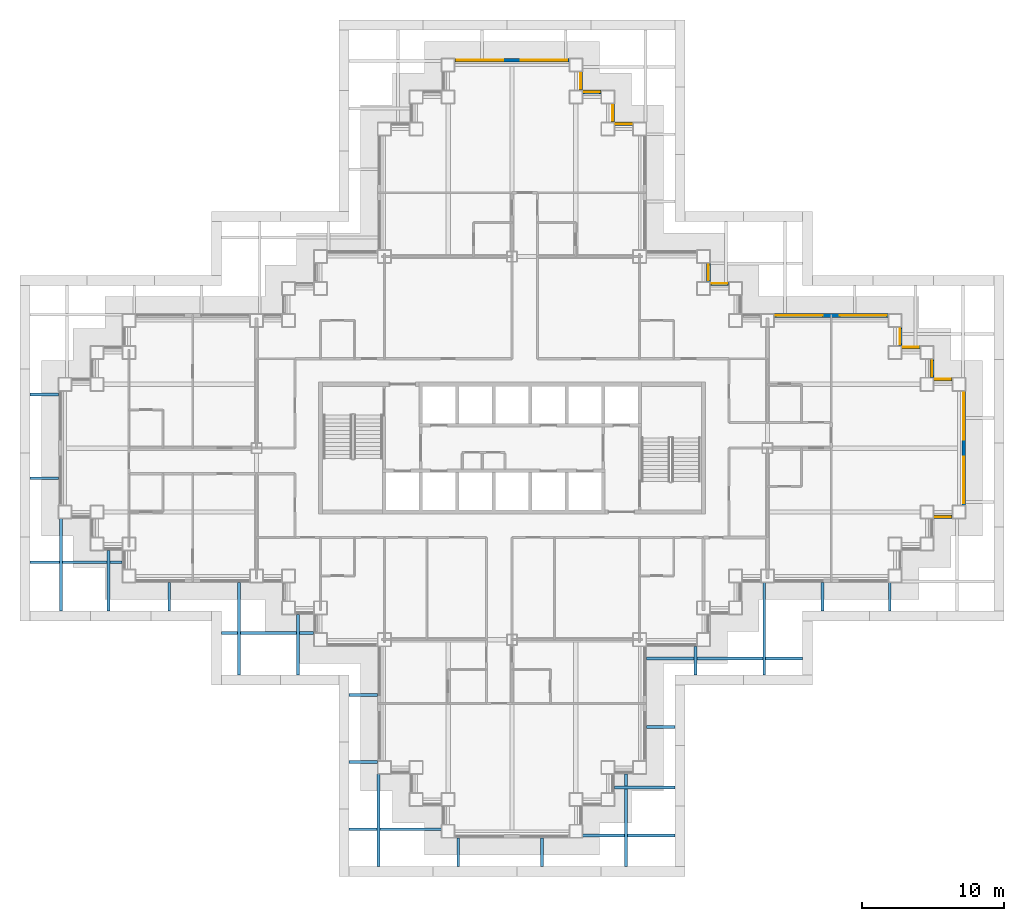
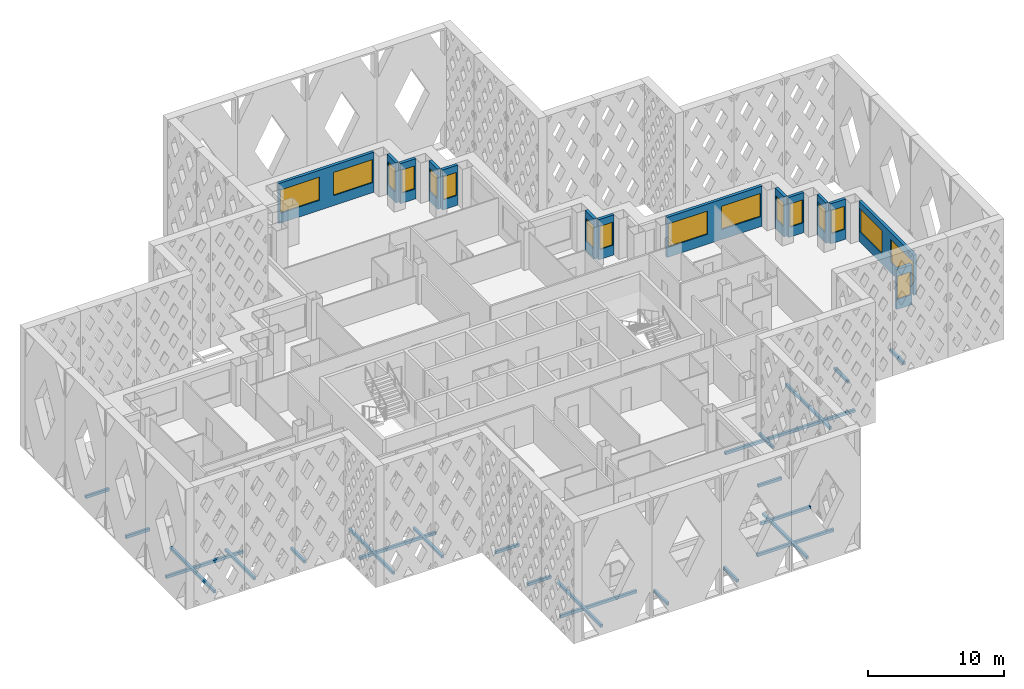
# One storey, part 9 of 19: 24 discrete accessories, 17 windows, 14 walls, 17 openings.
"""IFC4 building model written with IfcOpenShell, lengths in metres."""

from ifc_helpers import new_model, si_unit, direction, frame, frame_2d, origin, origin_2d, place, context, subcontext, project, spatial, rectangle, extrude, material, layer, layer_set, type_object, element, fill, save


model = new_model("IFC4")

# Units and contexts
model_context = context("Model", 3, precision=1e-05, world=origin(), true_north=direction((0.0, 1.0)))
body_context = subcontext(model_context, "Body", "Model", "MODEL_VIEW")
ifc_project = project(units=[si_unit("LENGTHUNIT", "METRE"), si_unit("AREAUNIT", "SQUARE_METRE"), si_unit("VOLUMEUNIT", "CUBIC_METRE"), si_unit("PLANEANGLEUNIT", "RADIAN"), si_unit("MASSUNIT", "GRAM", prefix="KILO")], contexts=[model_context])

# Site, building, storey
site_placement = place(None, origin())
site = spatial("IfcSite", under=ifc_project, at=site_placement, CompositionType="ELEMENT")
building_placement = place(site_placement, origin())
building = spatial("IfcBuilding", under=site, at=building_placement, Name="Caravel Reach Hotel and Residences", CompositionType="ELEMENT")
storey_placement = place(building_placement, frame((0.0, 0.0, 85.199951171875)))
storey = spatial("IfcBuildingStorey", under=building, at=storey_placement, Name="L20", CompositionType="ELEMENT", Elevation=85.199951171875)

# Wall, opening, window
ifc_material_1 = material(Name="Insulated rainscreen wall, aluminium cladding", Category="aluminium")
ifc_layer = layer(ifc_material_1, 0.25)
ifc_layer_set = layer_set([ifc_layer], Name="EW1 Tower rainscreen wall")
wall_type = type_object("IfcWallType", Name="EW1 Tower rainscreen wall", PredefinedType="SOLIDWALL", material=ifc_layer_set)
wall_1_placement = place(storey_placement, frame((61.22509765625, 22.14990234375, 0.0), z_axis=(0.0, 0.0, 1.0), x_axis=(1.0, 0.0, 0.0)))
wall_1 = element("IfcWall", 1, at=wall_1_placement, inside=storey, type_object=wall_type, Name="External wall L20 S19.1", PredefinedType="SOLIDWALL", context=body_context, shape_type="SweptSolid", body=[
    extrude(rectangle(XDim=1.2998046875, YDim=0.25, at=frame_2d((0.64990234375, 0.0))), origin(), (0.0, 0.0, 1.0), 3.60009765625),
])
opening_1_placement = place(wall_1_placement, frame((0.10009765625, 0.0, 0.89990234375)))
opening_1 = element("IfcOpeningElement", 2, at=opening_1_placement, cuts=wall_1, Name="Opening WN5", PredefinedType="OPENING", context=body_context, shape_type="SweptSolid", body=[
    extrude(rectangle(XDim=1.10009765625, YDim=2.080078125, at=frame_2d((0.550048828125, 1.0400390625))), frame((0.0, 0.135009765625, 0.0), z_axis=(0.0, -1.0, 0.0), x_axis=(1.0, 0.0, 0.0)), (0.0, 0.0, 1.0), 0.27001953125),
])
ifc_material_2 = material(Name="Dark low-e glazing in black aluminium frame", Category="aluminium")
window_type_1 = type_object("IfcWindowType", Name="Hotel suite corner window 1100 x 2080", PartitioningType="SINGLE_PANEL", PredefinedType="WINDOW", material=ifc_material_2)
window_1_placement = place(opening_1_placement, origin())
window_1 = element("IfcWindow", 3, at=window_1_placement, inside=storey, type_object=window_type_1, Name="Window L20 S19.1.1", OverallHeight=2.080078125, OverallWidth=1.10009765625, PartitioningType="SINGLE_PANEL", PredefinedType="WINDOW", context=body_context, shape_type="SweptSolid", body=[
    extrude(rectangle(XDim=1.10009765625, YDim=2.080078125, at=frame_2d((0.550048828125, 1.0400390625))), frame((0.0, 0.030029296875, 0.0), z_axis=(0.0, -1.0, 0.0), x_axis=(1.0, 0.0, 0.0)), (0.0, 0.0, 1.0), 0.06005859375),
])
fill(opening_1, window_1)

# Wall, openings, windows
wall_2_placement = place(storey_placement, frame((63.35009765625, 22.97509765625, 0.0), z_axis=(0.0, 0.0, 1.0), x_axis=(0.0, 1.0, 0.0)))
wall_2 = element("IfcWall", 4, at=wall_2_placement, inside=storey, type_object=wall_type, Name="External wall L20 E20.1", PredefinedType="SOLIDWALL", context=body_context, shape_type="SweptSolid", body=[
    extrude(rectangle(XDim=8.0498046875, YDim=0.25, at=frame_2d((4.02490234375, 0.0))), origin(), (0.0, 0.0, 1.0), 3.60009765625),
])
opening_2_placement = place(wall_2_placement, frame((0.125, 0.0, 0.89990234375)))
opening_2 = element("IfcOpeningElement", 5, at=opening_2_placement, cuts=wall_2, Name="Opening WN4", PredefinedType="OPENING", context=body_context, shape_type="SweptSolid", body=[
    extrude(rectangle(XDim=3.300048828125, YDim=2.080078125, at=frame_2d((1.64990234375, 1.0400390625))), frame((0.0, 0.135009765625, 0.0), z_axis=(0.0, -1.0, 0.0), x_axis=(1.0, 0.0, 0.0)), (0.0, 0.0, 1.0), 0.27001953125),
])
opening_3_placement = place(wall_2_placement, frame((4.625, 0.0, 0.89990234375)))
opening_3 = element("IfcOpeningElement", 6, at=opening_3_placement, cuts=wall_2, Name="Opening WN4", PredefinedType="OPENING", context=body_context, shape_type="SweptSolid", body=[
    extrude(rectangle(XDim=3.300048828125, YDim=2.080078125, at=frame_2d((1.64990234375, 1.0400390625))), frame((0.0, 0.135009765625, 0.0), z_axis=(0.0, -1.0, 0.0), x_axis=(1.0, 0.0, 0.0)), (0.0, 0.0, 1.0), 0.27001953125),
])
ifc_material_3 = material(Name="Dark low-e glazing in black aluminium frame", Category="aluminium")
window_type_2 = type_object("IfcWindowType", Name="Hotel guest room window 3300 x 2080", PartitioningType="SINGLE_PANEL", PredefinedType="WINDOW", material=ifc_material_3)
window_2_placement = place(opening_2_placement, origin())
window_2 = element("IfcWindow", 7, at=window_2_placement, inside=storey, type_object=window_type_2, Name="Window L20 E20.1.1", OverallHeight=2.080078125, OverallWidth=3.300048828125, PartitioningType="SINGLE_PANEL", PredefinedType="WINDOW", context=body_context, shape_type="SweptSolid", body=[
    extrude(rectangle(XDim=3.300048828125, YDim=2.080078125, at=frame_2d((1.64990234375, 1.0400390625))), frame((0.0, 0.030029296875, 0.0), z_axis=(0.0, -1.0, 0.0), x_axis=(1.0, 0.0, 0.0)), (0.0, 0.0, 1.0), 0.06005859375),
])
fill(opening_2, window_2)
window_3_placement = place(opening_3_placement, origin())
window_3 = element("IfcWindow", 8, at=window_3_placement, inside=storey, type_object=window_type_2, Name="Window L20 E20.1.2", OverallHeight=2.080078125, OverallWidth=3.300048828125, PartitioningType="SINGLE_PANEL", PredefinedType="WINDOW", context=body_context, shape_type="SweptSolid", body=[
    extrude(rectangle(XDim=3.300048828125, YDim=2.080078125, at=frame_2d((1.64990234375, 1.0400390625))), frame((0.0, 0.030029296875, 0.0), z_axis=(0.0, -1.0, 0.0), x_axis=(1.0, 0.0, 0.0)), (0.0, 0.0, 1.0), 0.06005859375),
])
fill(opening_3, window_3)

# Wall, opening, window
wall_3_placement = place(storey_placement, frame((62.52490234375, 31.85009765625, 0.0), z_axis=(0.0, 0.0, 1.0), x_axis=(-1.0, 0.0, 0.0)))
wall_3 = element("IfcWall", 9, at=wall_3_placement, inside=storey, type_object=wall_type, Name="External wall L20 N21.1", PredefinedType="SOLIDWALL", context=body_context, shape_type="SweptSolid", body=[
    extrude(rectangle(XDim=1.2998046875, YDim=0.25, at=frame_2d((0.64990234375, 0.0))), origin(), (0.0, 0.0, 1.0), 3.60009765625),
])
opening_4_placement = place(wall_3_placement, frame((0.10009765625, 0.0, 0.89990234375)))
opening_4 = element("IfcOpeningElement", 10, at=opening_4_placement, cuts=wall_3, Name="Opening WN5", PredefinedType="OPENING", context=body_context, shape_type="SweptSolid", body=[
    extrude(rectangle(XDim=1.10009765625, YDim=2.080078125, at=frame_2d((0.550048828125, 1.0400390625))), frame((0.0, 0.135009765625, 0.0), z_axis=(0.0, -1.0, 0.0), x_axis=(1.0, 0.0, 0.0)), (0.0, 0.0, 1.0), 0.27001953125),
])
window_4_placement = place(opening_4_placement, origin())
window_4 = element("IfcWindow", 11, at=window_4_placement, inside=storey, type_object=window_type_1, Name="Window L20 N21.1.1", OverallHeight=2.080078125, OverallWidth=1.10009765625, PartitioningType="SINGLE_PANEL", PredefinedType="WINDOW", context=body_context, shape_type="SweptSolid", body=[
    extrude(rectangle(XDim=1.10009765625, YDim=2.080078125, at=frame_2d((0.550048828125, 1.0400390625))), frame((0.0, 0.030029296875, 0.0), z_axis=(0.0, -1.0, 0.0), x_axis=(1.0, 0.0, 0.0)), (0.0, 0.0, 1.0), 0.06005859375),
])
fill(opening_4, window_4)

wall_4_placement = place(storey_placement, frame((61.10009765625, 31.97509765625, 0.0), z_axis=(0.0, 0.0, 1.0), x_axis=(0.0, 1.0, 0.0)))
wall_4 = element("IfcWall", 12, at=wall_4_placement, inside=storey, type_object=wall_type, Name="External wall L20 E22.1", PredefinedType="SOLIDWALL", context=body_context, shape_type="SweptSolid", body=[
    extrude(rectangle(XDim=1.2998046875, YDim=0.25, at=frame_2d((0.64990234375, 0.0))), origin(), (0.0, 0.0, 1.0), 3.60009765625),
])
opening_5_placement = place(wall_4_placement, frame((0.10009765625, 0.0, 0.89990234375)))
opening_5 = element("IfcOpeningElement", 13, at=opening_5_placement, cuts=wall_4, Name="Opening WN5", PredefinedType="OPENING", context=body_context, shape_type="SweptSolid", body=[
    extrude(rectangle(XDim=1.10009765625, YDim=2.080078125, at=frame_2d((0.550048828125, 1.0400390625))), frame((0.0, 0.135009765625, 0.0), z_axis=(0.0, -1.0, 0.0), x_axis=(1.0, 0.0, 0.0)), (0.0, 0.0, 1.0), 0.27001953125),
])
window_5_placement = place(opening_5_placement, origin())
window_5 = element("IfcWindow", 14, at=window_5_placement, inside=storey, type_object=window_type_1, Name="Window L20 E22.1.1", OverallHeight=2.080078125, OverallWidth=1.10009765625, PartitioningType="SINGLE_PANEL", PredefinedType="WINDOW", context=body_context, shape_type="SweptSolid", body=[
    extrude(rectangle(XDim=1.10009765625, YDim=2.080078125, at=frame_2d((0.550048828125, 1.0400390625))), frame((0.0, 0.030029296875, 0.0), z_axis=(0.0, -1.0, 0.0), x_axis=(1.0, 0.0, 0.0)), (0.0, 0.0, 1.0), 0.06005859375),
])
fill(opening_5, window_5)

wall_5_placement = place(storey_placement, frame((60.27490234375, 34.10009765625, 0.0), z_axis=(0.0, 0.0, 1.0), x_axis=(-1.0, 0.0, 0.0)))
wall_5 = element("IfcWall", 15, at=wall_5_placement, inside=storey, type_object=wall_type, Name="External wall L20 N23.1", PredefinedType="SOLIDWALL", context=body_context, shape_type="SweptSolid", body=[
    extrude(rectangle(XDim=1.2998046875, YDim=0.25, at=frame_2d((0.64990234375, 0.0))), origin(), (0.0, 0.0, 1.0), 3.60009765625),
])
opening_6_placement = place(wall_5_placement, frame((0.10009765625, 0.0, 0.89990234375)))
opening_6 = element("IfcOpeningElement", 16, at=opening_6_placement, cuts=wall_5, Name="Opening WN5", PredefinedType="OPENING", context=body_context, shape_type="SweptSolid", body=[
    extrude(rectangle(XDim=1.10009765625, YDim=2.080078125, at=frame_2d((0.550048828125, 1.0400390625))), frame((0.0, 0.135009765625, 0.0), z_axis=(0.0, -1.0, 0.0), x_axis=(1.0, 0.0, 0.0)), (0.0, 0.0, 1.0), 0.27001953125),
])
window_6_placement = place(opening_6_placement, origin())
window_6 = element("IfcWindow", 17, at=window_6_placement, inside=storey, type_object=window_type_1, Name="Window L20 N23.1.1", OverallHeight=2.080078125, OverallWidth=1.10009765625, PartitioningType="SINGLE_PANEL", PredefinedType="WINDOW", context=body_context, shape_type="SweptSolid", body=[
    extrude(rectangle(XDim=1.10009765625, YDim=2.080078125, at=frame_2d((0.550048828125, 1.0400390625))), frame((0.0, 0.030029296875, 0.0), z_axis=(0.0, -1.0, 0.0), x_axis=(1.0, 0.0, 0.0)), (0.0, 0.0, 1.0), 0.06005859375),
])
fill(opening_6, window_6)

wall_6_placement = place(storey_placement, frame((58.85009765625, 34.22509765625, 0.0), z_axis=(0.0, 0.0, 1.0), x_axis=(0.0, 1.0, 0.0)))
wall_6 = element("IfcWall", 18, at=wall_6_placement, inside=storey, type_object=wall_type, Name="External wall L20 E24.1", PredefinedType="SOLIDWALL", context=body_context, shape_type="SweptSolid", body=[
    extrude(rectangle(XDim=1.2998046875, YDim=0.25, at=frame_2d((0.64990234375, 0.0))), origin(), (0.0, 0.0, 1.0), 3.60009765625),
])
opening_7_placement = place(wall_6_placement, frame((0.10009765625, 0.0, 0.89990234375)))
opening_7 = element("IfcOpeningElement", 19, at=opening_7_placement, cuts=wall_6, Name="Opening WN5", PredefinedType="OPENING", context=body_context, shape_type="SweptSolid", body=[
    extrude(rectangle(XDim=1.10009765625, YDim=2.080078125, at=frame_2d((0.550048828125, 1.0400390625))), frame((0.0, 0.135009765625, 0.0), z_axis=(0.0, -1.0, 0.0), x_axis=(1.0, 0.0, 0.0)), (0.0, 0.0, 1.0), 0.27001953125),
])
window_7_placement = place(opening_7_placement, origin())
window_7 = element("IfcWindow", 20, at=window_7_placement, inside=storey, type_object=window_type_1, Name="Window L20 E24.1.1", OverallHeight=2.080078125, OverallWidth=1.10009765625, PartitioningType="SINGLE_PANEL", PredefinedType="WINDOW", context=body_context, shape_type="SweptSolid", body=[
    extrude(rectangle(XDim=1.10009765625, YDim=2.080078125, at=frame_2d((0.550048828125, 1.0400390625))), frame((0.0, 0.030029296875, 0.0), z_axis=(0.0, -1.0, 0.0), x_axis=(1.0, 0.0, 0.0)), (0.0, 0.0, 1.0), 0.06005859375),
])
fill(opening_7, window_7)

# Wall, openings, windows
wall_7_placement = place(storey_placement, frame((58.02490234375, 36.35009765625, 0.0), z_axis=(0.0, 0.0, 1.0), x_axis=(-1.0, 0.0, 0.0)))
wall_7 = element("IfcWall", 21, at=wall_7_placement, inside=storey, type_object=wall_type, Name="External wall L20 N25.1", PredefinedType="SOLIDWALL", context=body_context, shape_type="SweptSolid", body=[
    extrude(rectangle(XDim=8.0498046875, YDim=0.25, at=frame_2d((4.02490234375, 0.0))), origin(), (0.0, 0.0, 1.0), 3.60009765625),
])
opening_8_placement = place(wall_7_placement, frame((0.125, 0.0, 0.89990234375)))
opening_8 = element("IfcOpeningElement", 22, at=opening_8_placement, cuts=wall_7, Name="Opening WN4", PredefinedType="OPENING", context=body_context, shape_type="SweptSolid", body=[
    extrude(rectangle(XDim=3.300048828125, YDim=2.080078125, at=frame_2d((1.64990234375, 1.0400390625))), frame((0.0, 0.135009765625, 0.0), z_axis=(0.0, -1.0, 0.0), x_axis=(1.0, 0.0, 0.0)), (0.0, 0.0, 1.0), 0.27001953125),
])
opening_9_placement = place(wall_7_placement, frame((4.625, 0.0, 0.89990234375)))
opening_9 = element("IfcOpeningElement", 23, at=opening_9_placement, cuts=wall_7, Name="Opening WN4", PredefinedType="OPENING", context=body_context, shape_type="SweptSolid", body=[
    extrude(rectangle(XDim=3.300048828125, YDim=2.080078125, at=frame_2d((1.64990234375, 1.0400390625))), frame((0.0, 0.135009765625, 0.0), z_axis=(0.0, -1.0, 0.0), x_axis=(1.0, 0.0, 0.0)), (0.0, 0.0, 1.0), 0.27001953125),
])
window_8_placement = place(opening_8_placement, origin())
window_8 = element("IfcWindow", 24, at=window_8_placement, inside=storey, type_object=window_type_2, Name="Window L20 N25.1.1", OverallHeight=2.080078125, OverallWidth=3.300048828125, PartitioningType="SINGLE_PANEL", PredefinedType="WINDOW", context=body_context, shape_type="SweptSolid", body=[
    extrude(rectangle(XDim=3.300048828125, YDim=2.080078125, at=frame_2d((1.64990234375, 1.0400390625))), frame((0.0, 0.030029296875, 0.0), z_axis=(0.0, -1.0, 0.0), x_axis=(1.0, 0.0, 0.0)), (0.0, 0.0, 1.0), 0.06005859375),
])
fill(opening_8, window_8)
window_9_placement = place(opening_9_placement, origin())
window_9 = element("IfcWindow", 25, at=window_9_placement, inside=storey, type_object=window_type_2, Name="Window L20 N25.1.2", OverallHeight=2.080078125, OverallWidth=3.300048828125, PartitioningType="SINGLE_PANEL", PredefinedType="WINDOW", context=body_context, shape_type="SweptSolid", body=[
    extrude(rectangle(XDim=3.300048828125, YDim=2.080078125, at=frame_2d((1.64990234375, 1.0400390625))), frame((0.0, 0.030029296875, 0.0), z_axis=(0.0, -1.0, 0.0), x_axis=(1.0, 0.0, 0.0)), (0.0, 0.0, 1.0), 0.06005859375),
])
fill(opening_9, window_9)

# Wall, opening, window
wall_8_placement = place(storey_placement, frame((46.77490234375, 38.60009765625, 0.0), z_axis=(0.0, 0.0, 1.0), x_axis=(-1.0, 0.0, 0.0)))
wall_8 = element("IfcWall", 26, at=wall_8_placement, inside=storey, type_object=wall_type, Name="External wall L20 N27.1", PredefinedType="SOLIDWALL", context=body_context, shape_type="SweptSolid", body=[
    extrude(rectangle(XDim=1.2998046875, YDim=0.25, at=frame_2d((0.64990234375, 0.0))), origin(), (0.0, 0.0, 1.0), 3.60009765625),
])
opening_10_placement = place(wall_8_placement, frame((0.10009765625, 0.0, 0.89990234375)))
opening_10 = element("IfcOpeningElement", 27, at=opening_10_placement, cuts=wall_8, Name="Opening WN5", PredefinedType="OPENING", context=body_context, shape_type="SweptSolid", body=[
    extrude(rectangle(XDim=1.10009765625, YDim=2.080078125, at=frame_2d((0.550048828125, 1.0400390625))), frame((0.0, 0.135009765625, 0.0), z_axis=(0.0, -1.0, 0.0), x_axis=(1.0, 0.0, 0.0)), (0.0, 0.0, 1.0), 0.27001953125),
])
window_10_placement = place(opening_10_placement, origin())
window_10 = element("IfcWindow", 28, at=window_10_placement, inside=storey, type_object=window_type_1, Name="Window L20 N27.1.1", OverallHeight=2.080078125, OverallWidth=1.10009765625, PartitioningType="SINGLE_PANEL", PredefinedType="WINDOW", context=body_context, shape_type="SweptSolid", body=[
    extrude(rectangle(XDim=1.10009765625, YDim=2.080078125, at=frame_2d((0.550048828125, 1.0400390625))), frame((0.0, 0.030029296875, 0.0), z_axis=(0.0, -1.0, 0.0), x_axis=(1.0, 0.0, 0.0)), (0.0, 0.0, 1.0), 0.06005859375),
])
fill(opening_10, window_10)

wall_9_placement = place(storey_placement, frame((45.35009765625, 38.72509765625, 0.0), z_axis=(0.0, 0.0, 1.0), x_axis=(0.0, 1.0, 0.0)))
wall_9 = element("IfcWall", 29, at=wall_9_placement, inside=storey, type_object=wall_type, Name="External wall L20 E28.1", PredefinedType="SOLIDWALL", context=body_context, shape_type="SweptSolid", body=[
    extrude(rectangle(XDim=1.2998046875, YDim=0.25, at=frame_2d((0.64990234375, 0.0))), origin(), (0.0, 0.0, 1.0), 3.60009765625),
])
opening_11_placement = place(wall_9_placement, frame((0.10009765625, 0.0, 0.89990234375)))
opening_11 = element("IfcOpeningElement", 30, at=opening_11_placement, cuts=wall_9, Name="Opening WN5", PredefinedType="OPENING", context=body_context, shape_type="SweptSolid", body=[
    extrude(rectangle(XDim=1.10009765625, YDim=2.080078125, at=frame_2d((0.550048828125, 1.0400390625))), frame((0.0, 0.135009765625, 0.0), z_axis=(0.0, -1.0, 0.0), x_axis=(1.0, 0.0, 0.0)), (0.0, 0.0, 1.0), 0.27001953125),
])
window_11_placement = place(opening_11_placement, origin())
window_11 = element("IfcWindow", 31, at=window_11_placement, inside=storey, type_object=window_type_1, Name="Window L20 E28.1.1", OverallHeight=2.080078125, OverallWidth=1.10009765625, PartitioningType="SINGLE_PANEL", PredefinedType="WINDOW", context=body_context, shape_type="SweptSolid", body=[
    extrude(rectangle(XDim=1.10009765625, YDim=2.080078125, at=frame_2d((0.550048828125, 1.0400390625))), frame((0.0, 0.030029296875, 0.0), z_axis=(0.0, -1.0, 0.0), x_axis=(1.0, 0.0, 0.0)), (0.0, 0.0, 1.0), 0.06005859375),
])
fill(opening_11, window_11)

wall_10_placement = place(storey_placement, frame((40.02490234375, 49.85009765625, 0.0), z_axis=(0.0, 0.0, 1.0), x_axis=(-1.0, 0.0, 0.0)))
wall_10 = element("IfcWall", 32, at=wall_10_placement, inside=storey, type_object=wall_type, Name="External wall L20 N31.1", PredefinedType="SOLIDWALL", context=body_context, shape_type="SweptSolid", body=[
    extrude(rectangle(XDim=1.2998046875, YDim=0.25, at=frame_2d((0.64990234375, 0.0))), origin(), (0.0, 0.0, 1.0), 3.60009765625),
])
opening_12_placement = place(wall_10_placement, frame((0.10009765625, 0.0, 0.89990234375)))
opening_12 = element("IfcOpeningElement", 33, at=opening_12_placement, cuts=wall_10, Name="Opening WN5", PredefinedType="OPENING", context=body_context, shape_type="SweptSolid", body=[
    extrude(rectangle(XDim=1.10009765625, YDim=2.080078125, at=frame_2d((0.550048828125, 1.0400390625))), frame((0.0, 0.135009765625, 0.0), z_axis=(0.0, -1.0, 0.0), x_axis=(1.0, 0.0, 0.0)), (0.0, 0.0, 1.0), 0.27001953125),
])
window_12_placement = place(opening_12_placement, origin())
window_12 = element("IfcWindow", 34, at=window_12_placement, inside=storey, type_object=window_type_1, Name="Window L20 N31.1.1", OverallHeight=2.080078125, OverallWidth=1.10009765625, PartitioningType="SINGLE_PANEL", PredefinedType="WINDOW", context=body_context, shape_type="SweptSolid", body=[
    extrude(rectangle(XDim=1.10009765625, YDim=2.080078125, at=frame_2d((0.550048828125, 1.0400390625))), frame((0.0, 0.030029296875, 0.0), z_axis=(0.0, -1.0, 0.0), x_axis=(1.0, 0.0, 0.0)), (0.0, 0.0, 1.0), 0.06005859375),
])
fill(opening_12, window_12)

wall_11_placement = place(storey_placement, frame((38.60009765625, 49.97509765625, 0.0), z_axis=(0.0, 0.0, 1.0), x_axis=(0.0, 1.0, 0.0)))
wall_11 = element("IfcWall", 35, at=wall_11_placement, inside=storey, type_object=wall_type, Name="External wall L20 E32.1", PredefinedType="SOLIDWALL", context=body_context, shape_type="SweptSolid", body=[
    extrude(rectangle(XDim=1.2998046875, YDim=0.25, at=frame_2d((0.64990234375, 0.0))), origin(), (0.0, 0.0, 1.0), 3.60009765625),
])
opening_13_placement = place(wall_11_placement, frame((0.10009765625, 0.0, 0.89990234375)))
opening_13 = element("IfcOpeningElement", 36, at=opening_13_placement, cuts=wall_11, Name="Opening WN5", PredefinedType="OPENING", context=body_context, shape_type="SweptSolid", body=[
    extrude(rectangle(XDim=1.10009765625, YDim=2.080078125, at=frame_2d((0.550048828125, 1.0400390625))), frame((0.0, 0.135009765625, 0.0), z_axis=(0.0, -1.0, 0.0), x_axis=(1.0, 0.0, 0.0)), (0.0, 0.0, 1.0), 0.27001953125),
])
window_13_placement = place(opening_13_placement, origin())
window_13 = element("IfcWindow", 37, at=window_13_placement, inside=storey, type_object=window_type_1, Name="Window L20 E32.1.1", OverallHeight=2.080078125, OverallWidth=1.10009765625, PartitioningType="SINGLE_PANEL", PredefinedType="WINDOW", context=body_context, shape_type="SweptSolid", body=[
    extrude(rectangle(XDim=1.10009765625, YDim=2.080078125, at=frame_2d((0.550048828125, 1.0400390625))), frame((0.0, 0.030029296875, 0.0), z_axis=(0.0, -1.0, 0.0), x_axis=(1.0, 0.0, 0.0)), (0.0, 0.0, 1.0), 0.06005859375),
])
fill(opening_13, window_13)

wall_12_placement = place(storey_placement, frame((37.77490234375, 52.10009765625, 0.0), z_axis=(0.0, 0.0, 1.0), x_axis=(-1.0, 0.0, 0.0)))
wall_12 = element("IfcWall", 38, at=wall_12_placement, inside=storey, type_object=wall_type, Name="External wall L20 N33.1", PredefinedType="SOLIDWALL", context=body_context, shape_type="SweptSolid", body=[
    extrude(rectangle(XDim=1.2998046875, YDim=0.25, at=frame_2d((0.64990234375, 0.0))), origin(), (0.0, 0.0, 1.0), 3.60009765625),
])
opening_14_placement = place(wall_12_placement, frame((0.10009765625, 0.0, 0.89990234375)))
opening_14 = element("IfcOpeningElement", 39, at=opening_14_placement, cuts=wall_12, Name="Opening WN5", PredefinedType="OPENING", context=body_context, shape_type="SweptSolid", body=[
    extrude(rectangle(XDim=1.10009765625, YDim=2.080078125, at=frame_2d((0.550048828125, 1.0400390625))), frame((0.0, 0.135009765625, 0.0), z_axis=(0.0, -1.0, 0.0), x_axis=(1.0, 0.0, 0.0)), (0.0, 0.0, 1.0), 0.27001953125),
])
window_14_placement = place(opening_14_placement, origin())
window_14 = element("IfcWindow", 40, at=window_14_placement, inside=storey, type_object=window_type_1, Name="Window L20 N33.1.1", OverallHeight=2.080078125, OverallWidth=1.10009765625, PartitioningType="SINGLE_PANEL", PredefinedType="WINDOW", context=body_context, shape_type="SweptSolid", body=[
    extrude(rectangle(XDim=1.10009765625, YDim=2.080078125, at=frame_2d((0.550048828125, 1.0400390625))), frame((0.0, 0.030029296875, 0.0), z_axis=(0.0, -1.0, 0.0), x_axis=(1.0, 0.0, 0.0)), (0.0, 0.0, 1.0), 0.06005859375),
])
fill(opening_14, window_14)

wall_13_placement = place(storey_placement, frame((36.35009765625, 52.22509765625, 0.0), z_axis=(0.0, 0.0, 1.0), x_axis=(0.0, 1.0, 0.0)))
wall_13 = element("IfcWall", 41, at=wall_13_placement, inside=storey, type_object=wall_type, Name="External wall L20 E34.1", PredefinedType="SOLIDWALL", context=body_context, shape_type="SweptSolid", body=[
    extrude(rectangle(XDim=1.2998046875, YDim=0.25, at=frame_2d((0.64990234375, 0.0))), origin(), (0.0, 0.0, 1.0), 3.60009765625),
])
opening_15_placement = place(wall_13_placement, frame((0.10009765625, 0.0, 0.89990234375)))
opening_15 = element("IfcOpeningElement", 42, at=opening_15_placement, cuts=wall_13, Name="Opening WN5", PredefinedType="OPENING", context=body_context, shape_type="SweptSolid", body=[
    extrude(rectangle(XDim=1.10009765625, YDim=2.080078125, at=frame_2d((0.550048828125, 1.0400390625))), frame((0.0, 0.135009765625, 0.0), z_axis=(0.0, -1.0, 0.0), x_axis=(1.0, 0.0, 0.0)), (0.0, 0.0, 1.0), 0.27001953125),
])
window_15_placement = place(opening_15_placement, origin())
window_15 = element("IfcWindow", 43, at=window_15_placement, inside=storey, type_object=window_type_1, Name="Window L20 E34.1.1", OverallHeight=2.080078125, OverallWidth=1.10009765625, PartitioningType="SINGLE_PANEL", PredefinedType="WINDOW", context=body_context, shape_type="SweptSolid", body=[
    extrude(rectangle(XDim=1.10009765625, YDim=2.080078125, at=frame_2d((0.550048828125, 1.0400390625))), frame((0.0, 0.030029296875, 0.0), z_axis=(0.0, -1.0, 0.0), x_axis=(1.0, 0.0, 0.0)), (0.0, 0.0, 1.0), 0.06005859375),
])
fill(opening_15, window_15)

# Wall, openings, windows
wall_14_placement = place(storey_placement, frame((35.52490234375, 54.35009765625, 0.0), z_axis=(0.0, 0.0, 1.0), x_axis=(-1.0, 0.0, 0.0)))
wall_14 = element("IfcWall", 44, at=wall_14_placement, inside=storey, type_object=wall_type, Name="External wall L20 N35.1", PredefinedType="SOLIDWALL", context=body_context, shape_type="SweptSolid", body=[
    extrude(rectangle(XDim=8.0498046875, YDim=0.25, at=frame_2d((4.02490234375, 0.0))), origin(), (0.0, 0.0, 1.0), 3.60009765625),
])
opening_16_placement = place(wall_14_placement, frame((0.125, 0.0, 0.89990234375)))
opening_16 = element("IfcOpeningElement", 45, at=opening_16_placement, cuts=wall_14, Name="Opening WN4", PredefinedType="OPENING", context=body_context, shape_type="SweptSolid", body=[
    extrude(rectangle(XDim=3.300048828125, YDim=2.080078125, at=frame_2d((1.64990234375, 1.0400390625))), frame((0.0, 0.135009765625, 0.0), z_axis=(0.0, -1.0, 0.0), x_axis=(1.0, 0.0, 0.0)), (0.0, 0.0, 1.0), 0.27001953125),
])
opening_17_placement = place(wall_14_placement, frame((4.625, 0.0, 0.89990234375)))
opening_17 = element("IfcOpeningElement", 46, at=opening_17_placement, cuts=wall_14, Name="Opening WN4", PredefinedType="OPENING", context=body_context, shape_type="SweptSolid", body=[
    extrude(rectangle(XDim=3.300048828125, YDim=2.080078125, at=frame_2d((1.64990234375, 1.0400390625))), frame((0.0, 0.135009765625, 0.0), z_axis=(0.0, -1.0, 0.0), x_axis=(1.0, 0.0, 0.0)), (0.0, 0.0, 1.0), 0.27001953125),
])
window_16_placement = place(opening_16_placement, origin())
window_16 = element("IfcWindow", 47, at=window_16_placement, inside=storey, type_object=window_type_2, Name="Window L20 N35.1.1", OverallHeight=2.080078125, OverallWidth=3.300048828125, PartitioningType="SINGLE_PANEL", PredefinedType="WINDOW", context=body_context, shape_type="SweptSolid", body=[
    extrude(rectangle(XDim=3.300048828125, YDim=2.080078125, at=frame_2d((1.64990234375, 1.0400390625))), frame((0.0, 0.030029296875, 0.0), z_axis=(0.0, -1.0, 0.0), x_axis=(1.0, 0.0, 0.0)), (0.0, 0.0, 1.0), 0.06005859375),
])
fill(opening_16, window_16)
window_17_placement = place(opening_17_placement, origin())
window_17 = element("IfcWindow", 48, at=window_17_placement, inside=storey, type_object=window_type_2, Name="Window L20 N35.1.2", OverallHeight=2.080078125, OverallWidth=3.300048828125, PartitioningType="SINGLE_PANEL", PredefinedType="WINDOW", context=body_context, shape_type="SweptSolid", body=[
    extrude(rectangle(XDim=3.300048828125, YDim=2.080078125, at=frame_2d((1.64990234375, 1.0400390625))), frame((0.0, 0.030029296875, 0.0), z_axis=(0.0, -1.0, 0.0), x_axis=(1.0, 0.0, 0.0)), (0.0, 0.0, 1.0), 0.06005859375),
])
fill(opening_17, window_17)

# Discrete accessories
ifc_material_4 = material(Name="Black powder-coated aluminium", Category="aluminium")
discrete_accessory_type = type_object("IfcDiscreteAccessoryType", Name="BR1 Screen bracket", PredefinedType="BRACKET", material=ifc_material_4)
for number, where, z_axis, x_axis, name in (
    (49, (21.02490234375, 9.60498046875, 0.10009765625), (0.0, 0.0, 1.0), (-1.0, 0.0, 0.0), "Screen bracket L20 1.1.1"),
    (50, (21.02490234375, 4.87158203125, 0.10009765625), (0.0, 0.0, 1.0), (-1.0, 0.0, 0.0), "Screen bracket L20 1.2.1"),
):
    element("IfcDiscreteAccessory", number, at=place(storey_placement, frame(where, z_axis=z_axis, x_axis=x_axis)), inside=storey, type_object=discrete_accessory_type, Name=name, PredefinedType="BRACKET", context=body_context, shape_type="SweptSolid", body=[
        extrude(rectangle(XDim=2.0, YDim=0.199951171875, at=origin_2d()), origin(), (0.0, 0.0, 1.0), 0.25),
    ])
for number, where, z_axis, x_axis, name in (
    (51, (23.27490234375, 0.138427734375, 0.10009765625), (0.0, 0.0, 1.0), (-1.0, 0.0, 0.0), "Screen bracket L20 1.3.1"),
    (52, (22.0986328125, 0.77490234375, 0.10009765625), (0.0, 0.0, 1.0), (0.0, -1.0, 0.0), "Screen bracket L20 2.1.1"),
):
    element("IfcDiscreteAccessory", number, at=place(storey_placement, frame(where, z_axis=z_axis, x_axis=x_axis)), inside=storey, type_object=discrete_accessory_type, Name=name, PredefinedType="BRACKET", context=body_context, shape_type="SweptSolid", body=[
        extrude(rectangle(XDim=6.5, YDim=0.199951171875, at=origin_2d()), origin(), (0.0, 0.0, 1.0), 0.25),
    ])
for number, where, z_axis, x_axis, name in (
    (53, (27.711181640625, -1.47509765625, 0.10009765625), (0.0, 0.0, 1.0), (0.0, -1.0, 0.0), "Screen bracket L20 2.2.1"),
    (54, (33.623779296875, -1.47509765625, 0.10009765625), (0.0, 0.0, 1.0), (0.0, -1.0, 0.0), "Screen bracket L20 2.3.1"),
):
    element("IfcDiscreteAccessory", number, at=place(storey_placement, frame(where, z_axis=z_axis, x_axis=x_axis)), inside=storey, type_object=discrete_accessory_type, Name=name, PredefinedType="BRACKET", context=body_context, shape_type="SweptSolid", body=[
        extrude(rectangle(XDim=2.0, YDim=0.199951171875, at=origin_2d()), origin(), (0.0, 0.0, 1.0), 0.25),
    ])
for number, where, z_axis, x_axis, name in (
    (55, (39.5361328125, 0.77490234375, 0.10009765625), (0.0, 0.0, 1.0), (0.0, -1.0, 0.0), "Screen bracket L20 2.4.1"),
    (56, (39.72509765625, -0.294921875, 0.10009765625), (0.0, 0.0, 1.0), (1.0, 0.0, 0.0), "Screen bracket L20 3.1.1"),
):
    element("IfcDiscreteAccessory", number, at=place(storey_placement, frame(where, z_axis=z_axis, x_axis=x_axis)), inside=storey, type_object=discrete_accessory_type, Name=name, PredefinedType="BRACKET", context=body_context, shape_type="SweptSolid", body=[
        extrude(rectangle(XDim=6.5, YDim=0.199951171875, at=origin_2d()), origin(), (0.0, 0.0, 1.0), 0.25),
    ])
discrete_accessory_1_placement = place(storey_placement, frame((40.85009765625, 3.07177734375, 0.10009765625), z_axis=(0.0, 0.0, 1.0), x_axis=(1.0, 0.0, 0.0)))
element("IfcDiscreteAccessory", 57, at=discrete_accessory_1_placement, inside=storey, type_object=discrete_accessory_type, Name="Screen bracket L20 3.2.1", PredefinedType="BRACKET", context=body_context, shape_type="SweptSolid", body=[
    extrude(rectangle(XDim=4.25, YDim=0.199951171875, at=origin_2d()), origin(), (0.0, 0.0, 1.0), 0.25),
])
for number, where, z_axis, x_axis, name in (
    (58, (41.97509765625, 7.33837890625, 0.10009765625), (0.0, 0.0, 1.0), (1.0, 0.0, 0.0), "Screen bracket L20 3.3.1"),
    (59, (44.429931640625, 12.02490234375, 0.10009765625), (0.0, 0.0, 1.0), (0.0, -1.0, 0.0), "Screen bracket L20 4.1.1"),
):
    element("IfcDiscreteAccessory", number, at=place(storey_placement, frame(where, z_axis=z_axis, x_axis=x_axis)), inside=storey, type_object=discrete_accessory_type, Name=name, PredefinedType="BRACKET", context=body_context, shape_type="SweptSolid", body=[
        extrude(rectangle(XDim=2.0, YDim=0.199951171875, at=origin_2d()), origin(), (0.0, 0.0, 1.0), 0.25),
    ])
discrete_accessory_2_placement = place(storey_placement, frame((49.280029296875, 14.27490234375, 0.10009765625), z_axis=(0.0, 0.0, 1.0), x_axis=(0.0, -1.0, 0.0)))
element("IfcDiscreteAccessory", 60, at=discrete_accessory_2_placement, inside=storey, type_object=discrete_accessory_type, Name="Screen bracket L20 4.2.1", PredefinedType="BRACKET", context=body_context, shape_type="SweptSolid", body=[
    extrude(rectangle(XDim=6.5, YDim=0.199951171875, at=origin_2d()), origin(), (0.0, 0.0, 1.0), 0.25),
])
discrete_accessory_3_placement = place(storey_placement, frame((46.47509765625, 12.1650390625, 0.10009765625), z_axis=(0.0, 0.0, 1.0), x_axis=(1.0, 0.0, 0.0)))
element("IfcDiscreteAccessory", 61, at=discrete_accessory_3_placement, inside=storey, type_object=discrete_accessory_type, Name="Screen bracket L20 5.1.1", PredefinedType="BRACKET", context=body_context, shape_type="SweptSolid", body=[
    extrude(rectangle(XDim=11.0, YDim=0.199951171875, at=origin_2d()), origin(), (0.0, 0.0, 1.0), 0.25),
])
for number, where, z_axis, x_axis, name in (
    (62, (53.39501953125, 16.52490234375, 0.10009765625), (0.0, 0.0, 1.0), (0.0, -1.0, 0.0), "Screen bracket L20 6.1.1"),
    (63, (58.12841796875, 16.52490234375, 0.10009765625), (0.0, 0.0, 1.0), (0.0, -1.0, 0.0), "Screen bracket L20 6.2.1"),
    (64, (-1.47509765625, 30.788818359375, 0.10009765625), (0.0, 0.0, 1.0), (-1.0, 0.0, 0.0), "Screen bracket L20 17.2.1"),
    (65, (-1.47509765625, 24.876220703125, 0.10009765625), (0.0, 0.0, 1.0), (-1.0, 0.0, 0.0), "Screen bracket L20 17.3.1"),
):
    element("IfcDiscreteAccessory", number, at=place(storey_placement, frame(where, z_axis=z_axis, x_axis=x_axis)), inside=storey, type_object=discrete_accessory_type, Name=name, PredefinedType="BRACKET", context=body_context, shape_type="SweptSolid", body=[
        extrude(rectangle(XDim=2.0, YDim=0.199951171875, at=origin_2d()), origin(), (0.0, 0.0, 1.0), 0.25),
    ])
for number, where, z_axis, x_axis, name in (
    (66, (0.77490234375, 18.9638671875, 0.10009765625), (0.0, 0.0, 1.0), (-1.0, 0.0, 0.0), "Screen bracket L20 17.4.1"),
    (67, (-0.294921875, 18.77490234375, 0.10009765625), (0.0, 0.0, 1.0), (0.0, -1.0, 0.0), "Screen bracket L20 18.1.1"),
):
    element("IfcDiscreteAccessory", number, at=place(storey_placement, frame(where, z_axis=z_axis, x_axis=x_axis)), inside=storey, type_object=discrete_accessory_type, Name=name, PredefinedType="BRACKET", context=body_context, shape_type="SweptSolid", body=[
        extrude(rectangle(XDim=6.5, YDim=0.199951171875, at=origin_2d()), origin(), (0.0, 0.0, 1.0), 0.25),
    ])
discrete_accessory_4_placement = place(storey_placement, frame((3.07177734375, 17.64990234375, 0.10009765625), z_axis=(0.0, 0.0, 1.0), x_axis=(0.0, -1.0, 0.0)))
element("IfcDiscreteAccessory", 68, at=discrete_accessory_4_placement, inside=storey, type_object=discrete_accessory_type, Name="Screen bracket L20 18.2.1", PredefinedType="BRACKET", context=body_context, shape_type="SweptSolid", body=[
    extrude(rectangle(XDim=4.25, YDim=0.199951171875, at=origin_2d()), origin(), (0.0, 0.0, 1.0), 0.25),
])
discrete_accessory_5_placement = place(storey_placement, frame((7.33837890625, 16.52490234375, 0.10009765625), z_axis=(0.0, 0.0, 1.0), x_axis=(0.0, -1.0, 0.0)))
element("IfcDiscreteAccessory", 69, at=discrete_accessory_5_placement, inside=storey, type_object=discrete_accessory_type, Name="Screen bracket L20 18.3.1", PredefinedType="BRACKET", context=body_context, shape_type="SweptSolid", body=[
    extrude(rectangle(XDim=2.0, YDim=0.199951171875, at=origin_2d()), origin(), (0.0, 0.0, 1.0), 0.25),
])
for number, where, z_axis, x_axis, name in (
    (70, (14.27490234375, 13.965087890625, 0.10009765625), (0.0, 0.0, 1.0), (-1.0, 0.0, 0.0), "Screen bracket L20 19.1.1"),
    (71, (12.27001953125, 14.27490234375, 0.10009765625), (0.0, 0.0, 1.0), (0.0, -1.0, 0.0), "Screen bracket L20 20.1.1"),
):
    element("IfcDiscreteAccessory", number, at=place(storey_placement, frame(where, z_axis=z_axis, x_axis=x_axis)), inside=storey, type_object=discrete_accessory_type, Name=name, PredefinedType="BRACKET", context=body_context, shape_type="SweptSolid", body=[
        extrude(rectangle(XDim=6.5, YDim=0.199951171875, at=origin_2d()), origin(), (0.0, 0.0, 1.0), 0.25),
    ])
discrete_accessory_6_placement = place(storey_placement, frame((16.419921875, 13.14990234375, 0.10009765625), z_axis=(0.0, 0.0, 1.0), x_axis=(0.0, -1.0, 0.0)))
element("IfcDiscreteAccessory", 72, at=discrete_accessory_6_placement, inside=storey, type_object=discrete_accessory_type, Name="Screen bracket L20 20.2.1", PredefinedType="BRACKET", context=body_context, shape_type="SweptSolid", body=[
    extrude(rectangle(XDim=4.25, YDim=0.199951171875, at=origin_2d()), origin(), (0.0, 0.0, 1.0), 0.25),
])

save(model, "model.ifc")
